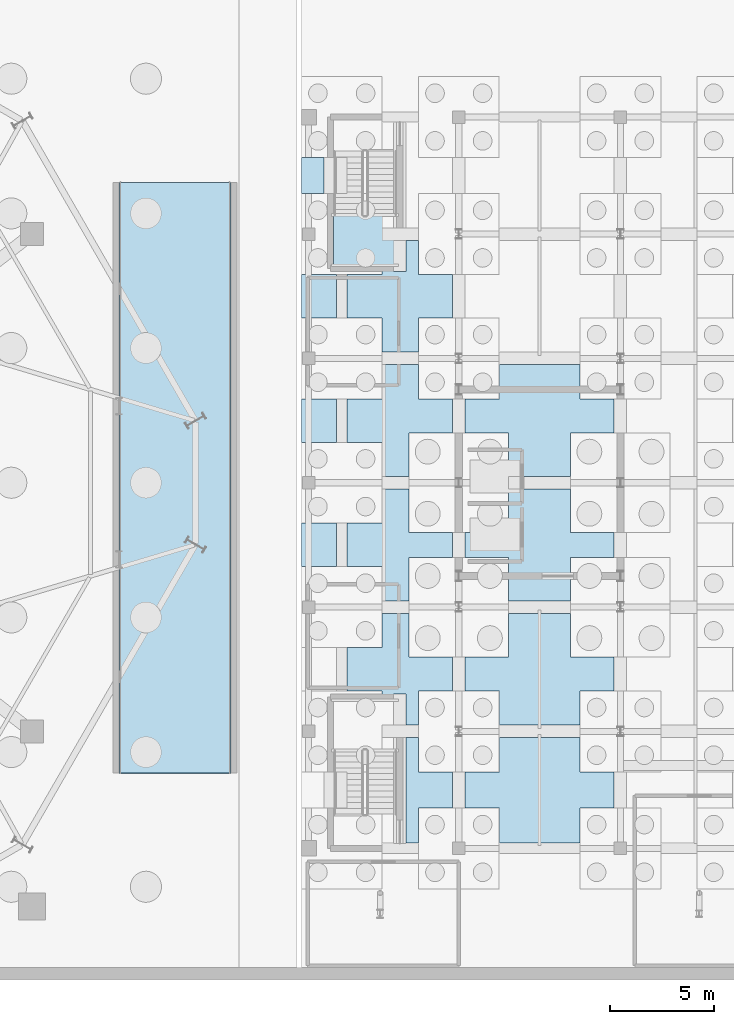
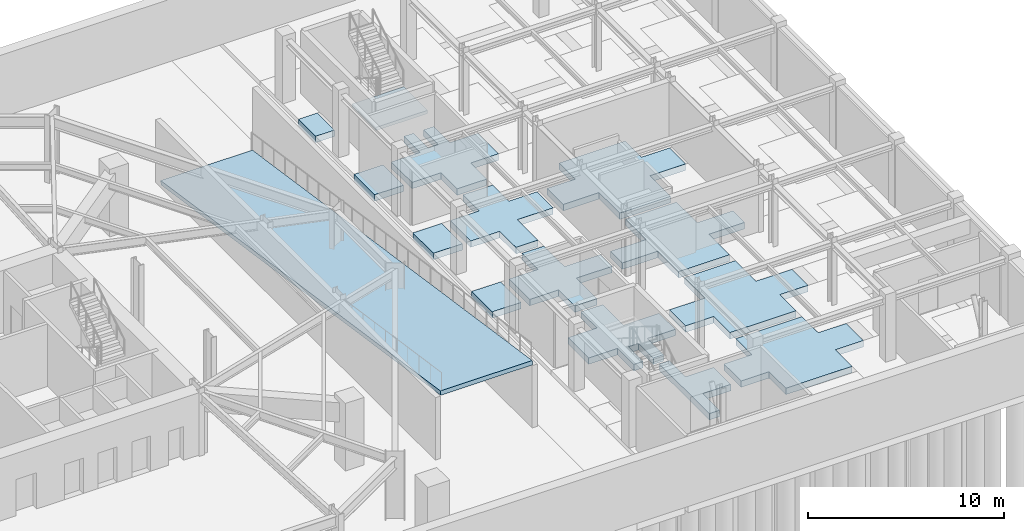
# One storey, part 10 of 18: 15 slabs, 1 element without a shape of its own.
"""IFC4 building model written with IfcOpenShell, lengths in metres."""

from ifc_helpers import new_model, si_unit, direction, frame, origin, place, context, subcontext, project, spatial, polyline, outline, extrude, material, layer, layer_set, type_object, element, aggregate, save


model = new_model("IFC4")

# Units and contexts
model_context = context("Model", 3, precision=1e-05, world=origin(), true_north=direction((0.0, 1.0)))
body_context = subcontext(model_context, "Body", "Model", "MODEL_VIEW")
ifc_project = project(units=[si_unit("LENGTHUNIT", "METRE"), si_unit("AREAUNIT", "SQUARE_METRE"), si_unit("VOLUMEUNIT", "CUBIC_METRE"), si_unit("PLANEANGLEUNIT", "RADIAN"), si_unit("MASSUNIT", "GRAM", prefix="KILO")], contexts=[model_context])

# Site, building, storey
site_placement = place(None, origin())
site = spatial("IfcSite", under=ifc_project, at=site_placement, CompositionType="ELEMENT")
building_placement = place(site_placement, origin())
building = spatial("IfcBuilding", under=site, at=building_placement, Name="Kranzbogen Civic Tower", CompositionType="ELEMENT")
storey_placement = place(building_placement, frame((0.0, 0.0, -8.39990234375)))
storey = spatial("IfcBuildingStorey", under=building, at=storey_placement, Name="B02", CompositionType="ELEMENT", Elevation=-8.39990234375)

# Slabs
ifc_material_1 = material(Name="Concrete C40/50", Category="concrete")
ifc_layer_1 = layer(ifc_material_1, 0.39990234375, Name="Concrete C40/50")
ifc_layer_set_1 = layer_set([ifc_layer_1], Name="Concrete C40/50")
slab_type_1 = type_object("IfcSlabType", Name="Basement Structural Base Slab 400 mm", PredefinedType="BASESLAB", material=ifc_layer_set_1)
slab_1_placement = place(storey_placement, frame((0.0, 0.0, -0.400146484375)))
element("IfcSlab", 1, at=slab_1_placement, inside=storey, type_object=slab_type_1, Name="B02 basement structural base slab 9", PredefinedType="BASESLAB", context=body_context, shape_type="SweptSolid", body=[
    extrude(outline(polyline([(52.0, 38.951904296875), (53.097900390625, 38.951904296875), (53.097900390625, 40.697998046875), (52.0, 40.697998046875), (52.0, 38.951904296875)])), origin(), (0.0, 0.0, 1.0), 0.400146484375),
])
slab_2_placement = place(storey_placement, frame((0.0, 0.0, -0.400146484375)))
element("IfcSlab", 2, at=slab_2_placement, inside=storey, type_object=slab_type_1, Name="B02 basement structural base slab 10", PredefinedType="BASESLAB", context=body_context, shape_type="SweptSolid", body=[
    extrude(outline(polyline([(52.0, 32.951904296875), (53.697998046875, 32.951904296875), (53.697998046875, 35.048095703125), (52.0, 35.048095703125), (52.0, 32.951904296875)])), origin(), (0.0, 0.0, 1.0), 0.400146484375),
])
slab_3_placement = place(storey_placement, frame((0.0, 0.0, -0.400146484375)))
element("IfcSlab", 3, at=slab_3_placement, inside=storey, type_object=slab_type_1, Name="B02 basement structural base slab 11", PredefinedType="BASESLAB", context=body_context, shape_type="SweptSolid", body=[
    extrude(outline(polyline([(52.0, 26.951904296875), (53.697998046875, 26.951904296875), (53.697998046875, 29.048095703125), (52.0, 29.048095703125), (52.0, 26.951904296875)])), origin(), (0.0, 0.0, 1.0), 0.400146484375),
])
slab_4_placement = place(storey_placement, frame((0.0, 0.0, -0.400146484375)))
element("IfcSlab", 4, at=slab_4_placement, inside=storey, type_object=slab_type_1, Name="B02 basement structural base slab 12", PredefinedType="BASESLAB", context=body_context, shape_type="SweptSolid", body=[
    extrude(outline(polyline([(52.0, 20.951904296875), (53.697998046875, 20.951904296875), (53.697998046875, 23.048095703125), (52.0, 23.048095703125), (52.0, 20.951904296875)])), origin(), (0.0, 0.0, 1.0), 0.400146484375),
])
slab_5_placement = place(storey_placement, frame((0.0, 0.0, -0.400146484375)))
element("IfcSlab", 5, at=slab_5_placement, inside=storey, type_object=slab_type_1, Name="B02 basement structural base slab 21", PredefinedType="BASESLAB", context=body_context, shape_type="SweptSolid", body=[
    extrude(outline(polyline([(61.552001953125, 7.60205078125), (65.447998046875, 7.60205078125), (65.447998046875, 9.300048828125), (65.447998046875, 9.300048828125), (65.447998046875, 9.300048828125), (65.447998046875, 9.301025390625), (65.447998046875, 9.301025390625), (65.447998046875, 9.301025390625), (65.447998046875, 9.301025390625), (65.447998046875, 9.301025390625), (65.448974609375, 9.301025390625), (65.448974609375, 9.302001953125), (65.448974609375, 9.302001953125), (65.448974609375, 9.302001953125), (65.448974609375, 9.302001953125), (65.448974609375, 9.302001953125), (65.449951171875, 9.302001953125), (65.449951171875, 9.302001953125), (65.449951171875, 9.302001953125), (67.097900390625, 9.302001953125), (67.097900390625, 11.048095703125), (65.449951171875, 11.048095703125), (65.449951171875, 11.048095703125), (65.449951171875, 11.048095703125), (65.448974609375, 11.048095703125), (65.448974609375, 11.048095703125), (65.448974609375, 11.048095703125), (65.448974609375, 11.048095703125), (65.448974609375, 11.048095703125), (65.448974609375, 11.049072265625), (65.447998046875, 11.049072265625), (65.447998046875, 11.049072265625), (65.447998046875, 11.049072265625), (65.447998046875, 11.049072265625), (65.447998046875, 11.049072265625), (65.447998046875, 11.050048828125), (65.447998046875, 11.050048828125), (65.447998046875, 11.050048828125), (65.447998046875, 12.697998046875), (61.552001953125, 12.697998046875), (61.552001953125, 11.050048828125), (61.552001953125, 11.050048828125), (61.552001953125, 11.050048828125), (61.552001953125, 11.049072265625), (61.552001953125, 11.049072265625), (61.552001953125, 11.049072265625), (61.552001953125, 11.049072265625), (61.552001953125, 11.049072265625), (61.551025390625, 11.049072265625), (61.551025390625, 11.048095703125), (61.551025390625, 11.048095703125), (61.551025390625, 11.048095703125), (61.551025390625, 11.048095703125), (61.551025390625, 11.048095703125), (61.550048828125, 11.048095703125), (61.550048828125, 11.048095703125), (61.550048828125, 11.048095703125), (59.902099609375, 11.048095703125), (59.902099609375, 9.302001953125), (61.550048828125, 9.302001953125), (61.550048828125, 9.302001953125), (61.550048828125, 9.302001953125), (61.551025390625, 9.302001953125), (61.551025390625, 9.302001953125), (61.551025390625, 9.302001953125), (61.551025390625, 9.302001953125), (61.551025390625, 9.302001953125), (61.551025390625, 9.301025390625), (61.552001953125, 9.301025390625), (61.552001953125, 9.301025390625), (61.552001953125, 9.301025390625), (61.552001953125, 9.301025390625), (61.552001953125, 9.301025390625), (61.552001953125, 9.300048828125), (61.552001953125, 9.300048828125), (61.552001953125, 9.300048828125), (61.552001953125, 7.60205078125)])), origin(), (0.0, 0.0, 1.0), 0.400146484375),
])
slab_6_placement = place(storey_placement, frame((0.0, 0.0, -0.400146484375)))
element("IfcSlab", 6, at=slab_6_placement, inside=storey, type_object=slab_type_1, Name="B02 basement structural base slab 22", PredefinedType="BASESLAB", context=body_context, shape_type="SweptSolid", body=[
    extrude(outline(polyline([(62.001953125, 18.697998046875), (62.001953125, 16.60009765625), (62.001953125, 16.60009765625), (62.001953125, 16.60009765625), (62.001953125, 16.59912109375), (62.001953125, 16.59912109375), (62.001953125, 16.59912109375), (62.001953125, 16.59912109375), (62.001953125, 16.59912109375), (62.0009765625, 16.59912109375), (62.0009765625, 16.597900390625), (62.0009765625, 16.597900390625), (62.0009765625, 16.597900390625), (62.0009765625, 16.597900390625), (62.0009765625, 16.597900390625), (62.0, 16.597900390625), (62.0, 16.597900390625), (62.0, 16.597900390625), (59.902099609375, 16.597900390625), (59.902099609375, 14.951904296875), (61.550048828125, 14.951904296875), (61.550048828125, 14.951904296875), (61.550048828125, 14.951904296875), (61.551025390625, 14.951904296875), (61.551025390625, 14.951904296875), (61.551025390625, 14.951904296875), (61.551025390625, 14.951904296875), (61.551025390625, 14.951904296875), (61.551025390625, 14.950927734375), (61.552001953125, 14.950927734375), (61.552001953125, 14.950927734375), (61.552001953125, 14.950927734375), (61.552001953125, 14.950927734375), (61.552001953125, 14.950927734375), (61.552001953125, 14.949951171875), (61.552001953125, 14.949951171875), (61.552001953125, 14.949951171875), (61.552001953125, 13.302001953125), (65.447998046875, 13.302001953125), (65.447998046875, 14.949951171875), (65.447998046875, 14.949951171875), (65.447998046875, 14.949951171875), (65.447998046875, 14.950927734375), (65.447998046875, 14.950927734375), (65.447998046875, 14.950927734375), (65.447998046875, 14.950927734375), (65.447998046875, 14.950927734375), (65.448974609375, 14.950927734375), (65.448974609375, 14.951904296875), (65.448974609375, 14.951904296875), (65.448974609375, 14.951904296875), (65.448974609375, 14.951904296875), (65.448974609375, 14.951904296875), (65.449951171875, 14.951904296875), (65.449951171875, 14.951904296875), (65.449951171875, 14.951904296875), (67.097900390625, 14.951904296875), (67.097900390625, 16.597900390625), (65.0, 16.597900390625), (65.0, 16.597900390625), (65.0, 16.597900390625), (64.9990234375, 16.597900390625), (64.9990234375, 16.597900390625), (64.9990234375, 16.597900390625), (64.9990234375, 16.597900390625), (64.9990234375, 16.597900390625), (64.9990234375, 16.59912109375), (64.998046875, 16.59912109375), (64.998046875, 16.59912109375), (64.998046875, 16.59912109375), (64.998046875, 16.59912109375), (64.998046875, 16.59912109375), (64.998046875, 16.60009765625), (64.998046875, 16.60009765625), (64.998046875, 16.60009765625), (64.998046875, 18.697998046875), (62.001953125, 18.697998046875)])), origin(), (0.0, 0.0, 1.0), 0.400146484375),
])
slab_7_placement = place(storey_placement, frame((0.0, 0.0, -0.400146484375)))
element("IfcSlab", 7, at=slab_7_placement, inside=storey, type_object=slab_type_1, Name="B02 basement structural base slab 25", PredefinedType="BASESLAB", context=body_context, shape_type="SweptSolid", body=[
    extrude(outline(polyline([(61.552001953125, 29.050048828125), (61.552001953125, 29.050048828125), (61.552001953125, 29.050048828125), (61.552001953125, 29.049072265625), (61.552001953125, 29.049072265625), (61.552001953125, 29.049072265625), (61.552001953125, 29.049072265625), (61.552001953125, 29.049072265625), (61.551025390625, 29.049072265625), (61.551025390625, 29.048095703125), (61.551025390625, 29.048095703125), (61.551025390625, 29.048095703125), (61.551025390625, 29.048095703125), (61.551025390625, 29.048095703125), (61.550048828125, 29.048095703125), (61.550048828125, 29.048095703125), (61.550048828125, 29.048095703125), (59.902099609375, 29.048095703125), (59.902099609375, 27.402099609375), (62.0, 27.402099609375), (62.0, 27.402099609375), (62.0, 27.402099609375), (62.0009765625, 27.402099609375), (62.0009765625, 27.402099609375), (62.0009765625, 27.402099609375), (62.0009765625, 27.402099609375), (62.0009765625, 27.402099609375), (62.0009765625, 27.40087890625), (62.001953125, 27.40087890625), (62.001953125, 27.40087890625), (62.001953125, 27.40087890625), (62.001953125, 27.40087890625), (62.001953125, 27.40087890625), (62.001953125, 27.39990234375), (62.001953125, 27.39990234375), (62.001953125, 27.39990234375), (62.001953125, 25.302001953125), (64.998046875, 25.302001953125), (64.998046875, 27.39990234375), (64.998046875, 27.39990234375), (64.998046875, 27.39990234375), (64.998046875, 27.40087890625), (64.998046875, 27.40087890625), (64.998046875, 27.40087890625), (64.998046875, 27.40087890625), (64.998046875, 27.40087890625), (64.9990234375, 27.40087890625), (64.9990234375, 27.402099609375), (64.9990234375, 27.402099609375), (64.9990234375, 27.402099609375), (64.9990234375, 27.402099609375), (64.9990234375, 27.402099609375), (65.0, 27.402099609375), (65.0, 27.402099609375), (65.0, 27.402099609375), (67.097900390625, 27.402099609375), (67.097900390625, 29.048095703125), (65.449951171875, 29.048095703125), (65.449951171875, 29.048095703125), (65.449951171875, 29.048095703125), (65.448974609375, 29.048095703125), (65.448974609375, 29.048095703125), (65.448974609375, 29.048095703125), (65.448974609375, 29.048095703125), (65.448974609375, 29.048095703125), (65.448974609375, 29.049072265625), (65.447998046875, 29.049072265625), (65.447998046875, 29.049072265625), (65.447998046875, 29.049072265625), (65.447998046875, 29.049072265625), (65.447998046875, 29.049072265625), (65.447998046875, 29.050048828125), (65.447998046875, 29.050048828125), (65.447998046875, 29.050048828125), (65.447998046875, 30.697998046875), (61.552001953125, 30.697998046875), (61.552001953125, 29.050048828125)])), origin(), (0.0, 0.0, 1.0), 0.400146484375),
])
slab_8_placement = place(storey_placement, frame((0.0, 0.0, -0.400146484375)))
element("IfcSlab", 8, at=slab_8_placement, inside=storey, type_object=slab_type_1, Name="B02 basement structural base slab 26", PredefinedType="BASESLAB", context=body_context, shape_type="SweptSolid", body=[
    extrude(outline(polyline([(59.902099609375, 21.402099609375), (62.0, 21.402099609375), (62.0, 21.402099609375), (62.0, 21.402099609375), (62.0009765625, 21.402099609375), (62.0009765625, 21.402099609375), (62.0009765625, 21.402099609375), (62.0009765625, 21.402099609375), (62.0009765625, 21.402099609375), (62.0009765625, 21.40087890625), (62.001953125, 21.40087890625), (62.001953125, 21.40087890625), (62.001953125, 21.40087890625), (62.001953125, 21.40087890625), (62.001953125, 21.40087890625), (62.001953125, 21.39990234375), (62.001953125, 21.39990234375), (62.001953125, 21.39990234375), (62.001953125, 19.302001953125), (64.998046875, 19.302001953125), (64.998046875, 21.39990234375), (64.998046875, 21.39990234375), (64.998046875, 21.39990234375), (64.998046875, 21.40087890625), (64.998046875, 21.40087890625), (64.998046875, 21.40087890625), (64.998046875, 21.40087890625), (64.998046875, 21.40087890625), (64.9990234375, 21.40087890625), (64.9990234375, 21.402099609375), (64.9990234375, 21.402099609375), (64.9990234375, 21.402099609375), (64.9990234375, 21.402099609375), (64.9990234375, 21.402099609375), (65.0, 21.402099609375), (65.0, 21.402099609375), (65.0, 21.402099609375), (67.097900390625, 21.402099609375), (67.097900390625, 22.597900390625), (65.0, 22.597900390625), (65.0, 22.597900390625), (65.0, 22.597900390625), (64.9990234375, 22.597900390625), (64.9990234375, 22.597900390625), (64.9990234375, 22.597900390625), (64.9990234375, 22.597900390625), (64.9990234375, 22.597900390625), (64.9990234375, 22.59912109375), (64.998046875, 22.59912109375), (64.998046875, 22.59912109375), (64.998046875, 22.59912109375), (64.998046875, 22.59912109375), (64.998046875, 22.59912109375), (64.998046875, 22.60009765625), (64.998046875, 22.60009765625), (64.998046875, 22.60009765625), (64.998046875, 24.697998046875), (62.001953125, 24.697998046875), (62.001953125, 22.60009765625), (62.001953125, 22.60009765625), (62.001953125, 22.60009765625), (62.001953125, 22.59912109375), (62.001953125, 22.59912109375), (62.001953125, 22.59912109375), (62.001953125, 22.59912109375), (62.001953125, 22.59912109375), (62.0009765625, 22.59912109375), (62.0009765625, 22.597900390625), (62.0009765625, 22.597900390625), (62.0009765625, 22.597900390625), (62.0009765625, 22.597900390625), (62.0009765625, 22.597900390625), (62.0, 22.597900390625), (62.0, 22.597900390625), (62.0, 22.597900390625), (59.902099609375, 22.597900390625), (59.902099609375, 21.402099609375)])), origin(), (0.0, 0.0, 1.0), 0.400146484375),
])
slab_9_placement = place(storey_placement, frame((0.0, 0.0, -0.400146484375)))
element("IfcSlab", 9, at=slab_9_placement, inside=storey, type_object=slab_type_1, Name="B02 basement structural base slab 27", PredefinedType="BASESLAB", context=body_context, shape_type="SweptSolid", body=[
    extrude(outline(polyline([(59.298095703125, 9.302001953125), (59.298095703125, 11.048095703125), (57.64990234375, 11.048095703125), (57.64990234375, 11.048095703125), (57.64990234375, 11.048095703125), (57.64892578125, 11.048095703125), (57.64892578125, 11.048095703125), (57.64892578125, 11.048095703125), (57.64892578125, 11.048095703125), (57.64892578125, 11.048095703125), (57.64892578125, 11.049072265625), (57.64794921875, 11.049072265625), (57.64794921875, 11.049072265625), (57.64794921875, 11.049072265625), (57.64794921875, 11.049072265625), (57.64794921875, 11.049072265625), (57.64794921875, 11.050048828125), (57.64794921875, 11.050048828125), (57.64794921875, 11.050048828125), (57.64794921875, 12.697998046875), (57.052001953125, 12.697998046875), (57.052001953125, 7.60205078125), (57.64794921875, 7.60205078125), (57.64794921875, 9.300048828125), (57.64794921875, 9.300048828125), (57.64794921875, 9.300048828125), (57.64794921875, 9.301025390625), (57.64794921875, 9.301025390625), (57.64794921875, 9.301025390625), (57.64794921875, 9.301025390625), (57.64794921875, 9.301025390625), (57.64892578125, 9.301025390625), (57.64892578125, 9.302001953125), (57.64892578125, 9.302001953125), (57.64892578125, 9.302001953125), (57.64892578125, 9.302001953125), (57.64892578125, 9.302001953125), (57.64990234375, 9.302001953125), (57.64990234375, 9.302001953125), (57.64990234375, 9.302001953125), (59.298095703125, 9.302001953125)])), origin(), (0.0, 0.0, 1.0), 0.400146484375),
])
slab_10_placement = place(storey_placement, frame((0.0, 0.0, -0.400146484375)))
element("IfcSlab", 10, at=slab_10_placement, inside=storey, type_object=slab_type_1, Name="B02 basement structural base slab 29", PredefinedType="BASESLAB", context=body_context, shape_type="SweptSolid", body=[
    extrude(outline(polyline([(57.052001953125, 36.697998046875), (57.052001953125, 35.199951171875), (57.052001953125, 35.199951171875), (57.052001953125, 35.199951171875), (57.052001953125, 35.198974609375), (57.052001953125, 35.198974609375), (57.052001953125, 35.198974609375), (57.052001953125, 35.198974609375), (57.052001953125, 35.198974609375), (57.051025390625, 35.198974609375), (57.051025390625, 35.197998046875), (57.051025390625, 35.197998046875), (57.051025390625, 35.197998046875), (57.051025390625, 35.197998046875), (57.051025390625, 35.197998046875), (57.050048828125, 35.197998046875), (57.050048828125, 35.197998046875), (57.050048828125, 35.197998046875), (56.449951171875, 35.197998046875), (56.449951171875, 35.197998046875), (56.449951171875, 35.197998046875), (56.448974609375, 35.197998046875), (56.448974609375, 35.197998046875), (56.448974609375, 35.197998046875), (56.448974609375, 35.197998046875), (56.448974609375, 35.197998046875), (56.448974609375, 35.198974609375), (56.447998046875, 35.198974609375), (56.447998046875, 35.198974609375), (56.447998046875, 35.198974609375), (56.447998046875, 35.198974609375), (56.447998046875, 35.198974609375), (56.447998046875, 35.199951171875), (56.447998046875, 35.199951171875), (56.447998046875, 35.199951171875), (56.447998046875, 36.697998046875), (55.902099609375, 36.697998046875), (55.902099609375, 35.050048828125), (55.902099609375, 35.050048828125), (55.902099609375, 35.050048828125), (55.902099609375, 35.049072265625), (55.902099609375, 35.049072265625), (55.902099609375, 35.049072265625), (55.902099609375, 35.049072265625), (55.902099609375, 35.049072265625), (55.90087890625, 35.049072265625), (55.90087890625, 35.048095703125), (55.90087890625, 35.048095703125), (55.90087890625, 35.048095703125), (55.90087890625, 35.048095703125), (55.90087890625, 35.048095703125), (55.89990234375, 35.048095703125), (55.89990234375, 35.048095703125), (55.89990234375, 35.048095703125), (54.201904296875, 35.048095703125), (54.201904296875, 32.951904296875), (55.89990234375, 32.951904296875), (55.89990234375, 32.951904296875), (55.89990234375, 32.951904296875), (55.90087890625, 32.951904296875), (55.90087890625, 32.951904296875), (55.90087890625, 32.951904296875), (55.90087890625, 32.951904296875), (55.90087890625, 32.951904296875), (55.90087890625, 32.950927734375), (55.902099609375, 32.950927734375), (55.902099609375, 32.950927734375), (55.902099609375, 32.950927734375), (55.902099609375, 32.950927734375), (55.902099609375, 32.950927734375), (55.902099609375, 32.949951171875), (55.902099609375, 32.949951171875), (55.902099609375, 32.949951171875), (55.902099609375, 31.302001953125), (57.64794921875, 31.302001953125), (57.64794921875, 32.949951171875), (57.64794921875, 32.949951171875), (57.64794921875, 32.949951171875), (57.64794921875, 32.950927734375), (57.64794921875, 32.950927734375), (57.64794921875, 32.950927734375), (57.64794921875, 32.950927734375), (57.64794921875, 32.950927734375), (57.64892578125, 32.950927734375), (57.64892578125, 32.951904296875), (57.64892578125, 32.951904296875), (57.64892578125, 32.951904296875), (57.64892578125, 32.951904296875), (57.64892578125, 32.951904296875), (57.64990234375, 32.951904296875), (57.64990234375, 32.951904296875), (57.64990234375, 32.951904296875), (59.298095703125, 32.951904296875), (59.298095703125, 35.048095703125), (57.64990234375, 35.048095703125), (57.64990234375, 35.048095703125), (57.64990234375, 35.048095703125), (57.64892578125, 35.048095703125), (57.64892578125, 35.048095703125), (57.64892578125, 35.048095703125), (57.64892578125, 35.048095703125), (57.64892578125, 35.048095703125), (57.64892578125, 35.049072265625), (57.64794921875, 35.049072265625), (57.64794921875, 35.049072265625), (57.64794921875, 35.049072265625), (57.64794921875, 35.049072265625), (57.64794921875, 35.049072265625), (57.64794921875, 35.050048828125), (57.64794921875, 35.050048828125), (57.64794921875, 35.050048828125), (57.64794921875, 36.697998046875), (57.052001953125, 36.697998046875)])), origin(), (0.0, 0.0, 1.0), 0.400146484375),
])
slab_11_placement = place(storey_placement, frame((0.0, 0.0, -0.400146484375)))
element("IfcSlab", 11, at=slab_11_placement, inside=storey, type_object=slab_type_1, Name="B02 basement structural base slab 30", PredefinedType="BASESLAB", context=body_context, shape_type="SweptSolid", body=[
    extrude(outline(polyline([(55.902099609375, 30.697998046875), (55.902099609375, 29.050048828125), (55.902099609375, 29.050048828125), (55.902099609375, 29.050048828125), (55.902099609375, 29.049072265625), (55.902099609375, 29.049072265625), (55.902099609375, 29.049072265625), (55.902099609375, 29.049072265625), (55.902099609375, 29.049072265625), (55.90087890625, 29.049072265625), (55.90087890625, 29.048095703125), (55.90087890625, 29.048095703125), (55.90087890625, 29.048095703125), (55.90087890625, 29.048095703125), (55.90087890625, 29.048095703125), (55.89990234375, 29.048095703125), (55.89990234375, 29.048095703125), (55.89990234375, 29.048095703125), (54.201904296875, 29.048095703125), (54.201904296875, 26.951904296875), (55.89990234375, 26.951904296875), (55.89990234375, 26.951904296875), (55.89990234375, 26.951904296875), (55.90087890625, 26.951904296875), (55.90087890625, 26.951904296875), (55.90087890625, 26.951904296875), (55.90087890625, 26.951904296875), (55.90087890625, 26.951904296875), (55.90087890625, 26.950927734375), (55.902099609375, 26.950927734375), (55.902099609375, 26.950927734375), (55.902099609375, 26.950927734375), (55.902099609375, 26.950927734375), (55.902099609375, 26.950927734375), (55.902099609375, 26.949951171875), (55.902099609375, 26.949951171875), (55.902099609375, 26.949951171875), (55.902099609375, 25.302001953125), (57.197998046875, 25.302001953125), (57.197998046875, 27.39990234375), (57.197998046875, 27.39990234375), (57.197998046875, 27.39990234375), (57.197998046875, 27.40087890625), (57.197998046875, 27.40087890625), (57.197998046875, 27.40087890625), (57.197998046875, 27.40087890625), (57.197998046875, 27.40087890625), (57.198974609375, 27.40087890625), (57.198974609375, 27.402099609375), (57.198974609375, 27.402099609375), (57.198974609375, 27.402099609375), (57.198974609375, 27.402099609375), (57.198974609375, 27.402099609375), (57.199951171875, 27.402099609375), (57.199951171875, 27.402099609375), (57.199951171875, 27.402099609375), (59.298095703125, 27.402099609375), (59.298095703125, 29.048095703125), (57.64990234375, 29.048095703125), (57.64990234375, 29.048095703125), (57.64990234375, 29.048095703125), (57.64892578125, 29.048095703125), (57.64892578125, 29.048095703125), (57.64892578125, 29.048095703125), (57.64892578125, 29.048095703125), (57.64892578125, 29.048095703125), (57.64892578125, 29.049072265625), (57.64794921875, 29.049072265625), (57.64794921875, 29.049072265625), (57.64794921875, 29.049072265625), (57.64794921875, 29.049072265625), (57.64794921875, 29.049072265625), (57.64794921875, 29.050048828125), (57.64794921875, 29.050048828125), (57.64794921875, 29.050048828125), (57.64794921875, 30.697998046875), (55.902099609375, 30.697998046875)])), origin(), (0.0, 0.0, 1.0), 0.400146484375),
])
slab_12_placement = place(storey_placement, frame((0.0, 0.0, -0.400146484375)))
element("IfcSlab", 12, at=slab_12_placement, inside=storey, type_object=slab_type_1, Name="B02 basement structural base slab 31", PredefinedType="BASESLAB", context=body_context, shape_type="SweptSolid", body=[
    extrude(outline(polyline([(55.902099609375, 24.697998046875), (55.902099609375, 23.050048828125), (55.902099609375, 23.050048828125), (55.902099609375, 23.050048828125), (55.902099609375, 23.049072265625), (55.902099609375, 23.049072265625), (55.902099609375, 23.049072265625), (55.902099609375, 23.049072265625), (55.902099609375, 23.049072265625), (55.90087890625, 23.049072265625), (55.90087890625, 23.048095703125), (55.90087890625, 23.048095703125), (55.90087890625, 23.048095703125), (55.90087890625, 23.048095703125), (55.90087890625, 23.048095703125), (55.89990234375, 23.048095703125), (55.89990234375, 23.048095703125), (55.89990234375, 23.048095703125), (54.201904296875, 23.048095703125), (54.201904296875, 20.951904296875), (55.89990234375, 20.951904296875), (55.89990234375, 20.951904296875), (55.89990234375, 20.951904296875), (55.90087890625, 20.951904296875), (55.90087890625, 20.951904296875), (55.90087890625, 20.951904296875), (55.90087890625, 20.951904296875), (55.90087890625, 20.951904296875), (55.90087890625, 20.950927734375), (55.902099609375, 20.950927734375), (55.902099609375, 20.950927734375), (55.902099609375, 20.950927734375), (55.902099609375, 20.950927734375), (55.902099609375, 20.950927734375), (55.902099609375, 20.949951171875), (55.902099609375, 20.949951171875), (55.902099609375, 20.949951171875), (55.902099609375, 19.302001953125), (57.197998046875, 19.302001953125), (57.197998046875, 21.39990234375), (57.197998046875, 21.39990234375), (57.197998046875, 21.39990234375), (57.197998046875, 21.40087890625), (57.197998046875, 21.40087890625), (57.197998046875, 21.40087890625), (57.197998046875, 21.40087890625), (57.197998046875, 21.40087890625), (57.198974609375, 21.40087890625), (57.198974609375, 21.402099609375), (57.198974609375, 21.402099609375), (57.198974609375, 21.402099609375), (57.198974609375, 21.402099609375), (57.198974609375, 21.402099609375), (57.199951171875, 21.402099609375), (57.199951171875, 21.402099609375), (57.199951171875, 21.402099609375), (59.298095703125, 21.402099609375), (59.298095703125, 22.597900390625), (57.199951171875, 22.597900390625), (57.199951171875, 22.597900390625), (57.199951171875, 22.597900390625), (57.198974609375, 22.597900390625), (57.198974609375, 22.597900390625), (57.198974609375, 22.597900390625), (57.198974609375, 22.597900390625), (57.198974609375, 22.597900390625), (57.198974609375, 22.59912109375), (57.197998046875, 22.59912109375), (57.197998046875, 22.59912109375), (57.197998046875, 22.59912109375), (57.197998046875, 22.59912109375), (57.197998046875, 22.59912109375), (57.197998046875, 22.60009765625), (57.197998046875, 22.60009765625), (57.197998046875, 22.60009765625), (57.197998046875, 24.697998046875), (55.902099609375, 24.697998046875)])), origin(), (0.0, 0.0, 1.0), 0.400146484375),
])
slab_13_placement = place(storey_placement, frame((0.0, 0.0, -0.400146484375)))
element("IfcSlab", 13, at=slab_13_placement, inside=storey, type_object=slab_type_1, Name="B02 basement structural base slab 32", PredefinedType="BASESLAB", context=body_context, shape_type="SweptSolid", body=[
    extrude(outline(polyline([(55.902099609375, 17.050048828125), (55.902099609375, 17.050048828125), (55.902099609375, 17.050048828125), (55.902099609375, 17.049072265625), (55.902099609375, 17.049072265625), (55.902099609375, 17.049072265625), (55.902099609375, 17.049072265625), (55.902099609375, 17.049072265625), (55.90087890625, 17.049072265625), (55.90087890625, 17.048095703125), (55.90087890625, 17.048095703125), (55.90087890625, 17.048095703125), (55.90087890625, 17.048095703125), (55.90087890625, 17.048095703125), (55.89990234375, 17.048095703125), (55.89990234375, 17.048095703125), (55.89990234375, 17.048095703125), (54.201904296875, 17.048095703125), (54.201904296875, 14.951904296875), (55.89990234375, 14.951904296875), (55.89990234375, 14.951904296875), (55.89990234375, 14.951904296875), (55.90087890625, 14.951904296875), (55.90087890625, 14.951904296875), (55.90087890625, 14.951904296875), (55.90087890625, 14.951904296875), (55.90087890625, 14.951904296875), (55.90087890625, 14.950927734375), (55.902099609375, 14.950927734375), (55.902099609375, 14.950927734375), (55.902099609375, 14.950927734375), (55.902099609375, 14.950927734375), (55.902099609375, 14.950927734375), (55.902099609375, 14.949951171875), (55.902099609375, 14.949951171875), (55.902099609375, 14.949951171875), (55.902099609375, 13.302001953125), (56.447998046875, 13.302001953125), (56.447998046875, 14.800048828125), (56.447998046875, 14.800048828125), (56.447998046875, 14.800048828125), (56.447998046875, 14.801025390625), (56.447998046875, 14.801025390625), (56.447998046875, 14.801025390625), (56.447998046875, 14.801025390625), (56.447998046875, 14.801025390625), (56.448974609375, 14.801025390625), (56.448974609375, 14.802001953125), (56.448974609375, 14.802001953125), (56.448974609375, 14.802001953125), (56.448974609375, 14.802001953125), (56.448974609375, 14.802001953125), (56.449951171875, 14.802001953125), (56.449951171875, 14.802001953125), (56.449951171875, 14.802001953125), (57.050048828125, 14.802001953125), (57.050048828125, 14.802001953125), (57.050048828125, 14.802001953125), (57.051025390625, 14.802001953125), (57.051025390625, 14.802001953125), (57.051025390625, 14.802001953125), (57.051025390625, 14.802001953125), (57.051025390625, 14.802001953125), (57.051025390625, 14.801025390625), (57.052001953125, 14.801025390625), (57.052001953125, 14.801025390625), (57.052001953125, 14.801025390625), (57.052001953125, 14.801025390625), (57.052001953125, 14.801025390625), (57.052001953125, 14.800048828125), (57.052001953125, 14.800048828125), (57.052001953125, 14.800048828125), (57.052001953125, 13.302001953125), (57.64794921875, 13.302001953125), (57.64794921875, 14.949951171875), (57.64794921875, 14.949951171875), (57.64794921875, 14.949951171875), (57.64794921875, 14.950927734375), (57.64794921875, 14.950927734375), (57.64794921875, 14.950927734375), (57.64794921875, 14.950927734375), (57.64794921875, 14.950927734375), (57.64892578125, 14.950927734375), (57.64892578125, 14.951904296875), (57.64892578125, 14.951904296875), (57.64892578125, 14.951904296875), (57.64892578125, 14.951904296875), (57.64892578125, 14.951904296875), (57.64990234375, 14.951904296875), (57.64990234375, 14.951904296875), (57.64990234375, 14.951904296875), (59.298095703125, 14.951904296875), (59.298095703125, 16.597900390625), (57.199951171875, 16.597900390625), (57.199951171875, 16.597900390625), (57.199951171875, 16.597900390625), (57.198974609375, 16.597900390625), (57.198974609375, 16.597900390625), (57.198974609375, 16.597900390625), (57.198974609375, 16.597900390625), (57.198974609375, 16.597900390625), (57.198974609375, 16.59912109375), (57.197998046875, 16.59912109375), (57.197998046875, 16.59912109375), (57.197998046875, 16.59912109375), (57.197998046875, 16.59912109375), (57.197998046875, 16.59912109375), (57.197998046875, 16.60009765625), (57.197998046875, 16.60009765625), (57.197998046875, 16.60009765625), (57.197998046875, 18.697998046875), (55.902099609375, 18.697998046875), (55.902099609375, 17.050048828125)])), origin(), (0.0, 0.0, 1.0), 0.400146484375),
])

# Stair, slab
ifc_material_2 = material(Name="Precast concrete C40/50", Category="concrete")
stair_type = type_object("IfcStairType", Name="Health Centre Escape Dogleg Stair 1450", PredefinedType="HALF_TURN_STAIR", material=ifc_material_2)
stair_placement = place(storey_placement, origin())
stair = element("IfcStair", 14, at=stair_placement, inside=storey, type_object=stair_type, Name="B02 Health Centre Escape Stair 2", PredefinedType="HALF_TURN_STAIR")
ifc_layer_2 = layer(ifc_material_2, 0.199951171875, Name="Precast concrete C40/50")
ifc_layer_set_2 = layer_set([ifc_layer_2], Name="Precast concrete C40/50")
slab_type_2 = type_object("IfcSlabType", Name="Precast Concrete Stair Landing Slab 200 mm", PredefinedType="LANDING", material=ifc_layer_set_2)
slab_14_placement = place(storey_placement, frame((0.0, 0.0, 1.89990234375)))
slab_14 = element("IfcSlab", 15, at=slab_14_placement, type_object=slab_type_2, Name="ST-H2 landing 1", PredefinedType="LANDING", context=body_context, shape_type="SweptSolid", body=[
    extrude(outline(polyline([(53.550048828125, 37.919921875), (53.550048828125, 35.5), (56.60009765625, 35.5), (56.60009765625, 37.919921875), (53.550048828125, 37.919921875)])), origin(), (0.0, 0.0, 1.0), 0.199951171875),
])
aggregate(stair, [slab_14])

# Slab
ifc_layer_3 = layer(ifc_material_1, 0.25, Name="Concrete C40/50")
ifc_layer_set_3 = layer_set([ifc_layer_3], Name="Concrete C40/50")
slab_type_3 = type_object("IfcSlabType", Name="Structural Vehicle Ramp Slab 250 mm", PredefinedType="FLOOR", material=ifc_layer_set_3)
slab_15_placement = place(storey_placement, frame((43.199951171875, 39.5, 0.0), z_axis=(0.0, 0.145792130665, 0.989315245327), x_axis=(1.0, 0.0, 0.0)))
element("IfcSlab", 16, at=slab_15_placement, inside=storey, type_object=slab_type_3, Name="B02 structural vehicle ramp slab RMP-01 flight 1", PredefinedType="FLOOR", context=body_context, shape_type="SweptSolid", body=[
    extrude(outline(polyline([(0.0, 0.0), (5.400146484375, 0.0), (5.400146484375, -28.807804321852334), (0.0, -28.807804321852334), (0.0, 0.0)])), origin(), (0.0, 0.0, -1.0), 0.25),
])

save(model, "model.ifc")
